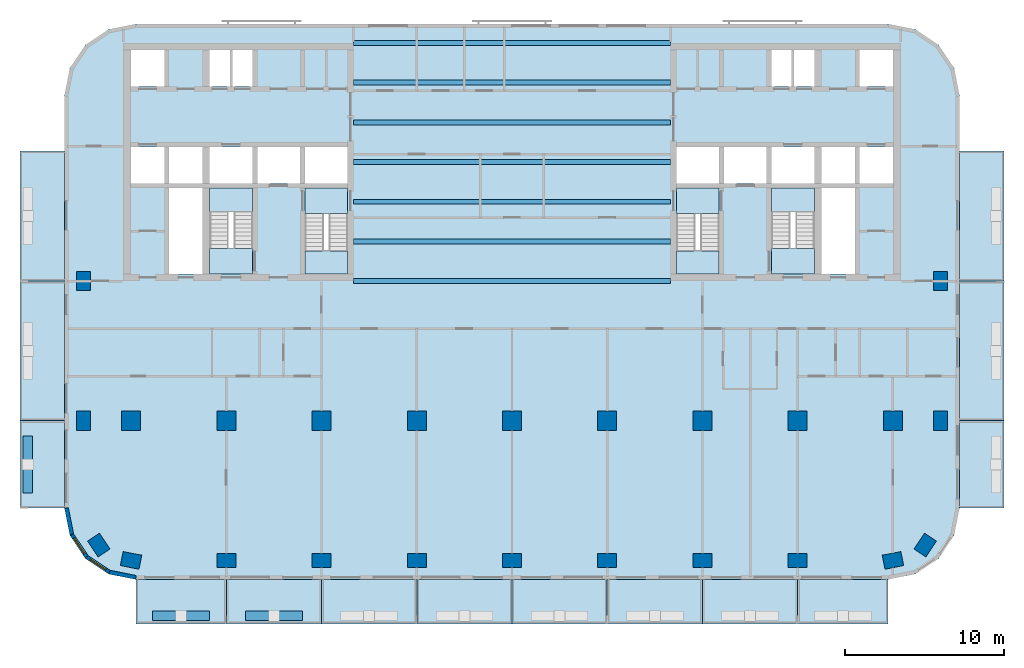
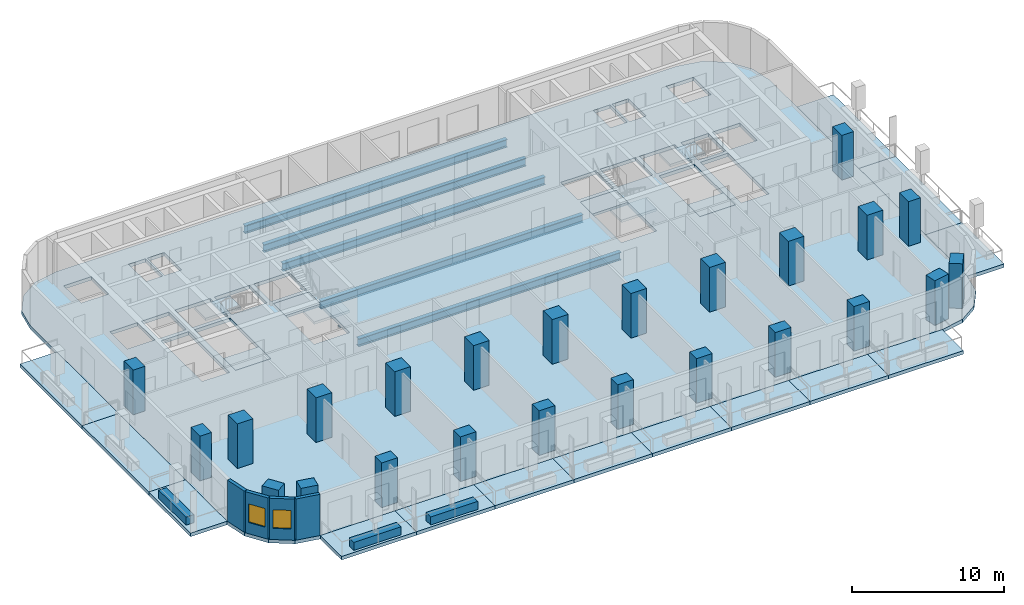
# One storey, part 1 of 12: 24 columns, 23 slabs, 7 beams, 7 walls, 2 windows, 2 openings, 4 elements without a shape of their own.
"""IFC4 building model written with IfcOpenShell, lengths in metres."""

from ifc_helpers import new_model, si_unit, direction, frame, frame_2d, origin, origin_2d, place, context, subcontext, project, spatial, polyline, rectangle, i_section, outline, extrude, material, layer, layer_set, material_profile, profile_set, type_object, element, fill, aggregate, save


model = new_model("IFC4")

# Units and contexts
model_context = context("Model", 3, precision=1e-05, world=origin(), true_north=direction((0.0, 1.0)))
body_context = subcontext(model_context, "Body", "Model", "MODEL_VIEW")
ifc_project = project(units=[si_unit("LENGTHUNIT", "METRE"), si_unit("AREAUNIT", "SQUARE_METRE"), si_unit("VOLUMEUNIT", "CUBIC_METRE"), si_unit("PLANEANGLEUNIT", "RADIAN"), si_unit("MASSUNIT", "GRAM", prefix="KILO")], contexts=[model_context])

# Site, building, storey
site_placement = place(None, origin())
site = spatial("IfcSite", under=ifc_project, at=site_placement, CompositionType="ELEMENT")
building_placement = place(site_placement, origin())
building = spatial("IfcBuilding", under=site, at=building_placement, Name="Torana Hotel and Residences", CompositionType="ELEMENT")
storey_placement = place(building_placement, frame((0.0, 0.0, 159.60009765625)))
storey = spatial("IfcBuildingStorey", under=building, at=storey_placement, Name="L41", CompositionType="ELEMENT", Elevation=159.60009765625)

# Columns
ifc_material_1 = material(Name="Concrete C70/85", Category="concrete")
ifc_material_profile_1 = material_profile(ifc_material_1, rectangle(XDim=1.199951171875, YDim=1.199951171875, at=origin_2d()), Name="RC 1200x1200")
ifc_profile_set_1 = profile_set([ifc_material_profile_1], Name="Concrete C70/85")
column_type_1 = type_object("IfcColumnType", Name="COLUMN RC 1200x1200 C70/85", PredefinedType="COLUMN", material=ifc_profile_set_1)
for number, where, z_axis, x_axis, name in (
    (1, (-24.0, -23.800048828125, 0.0), (0.0, 0.0, 1.0), (1.0, 0.0, 0.0), "Column L41"),
    (2, (-18.0, -23.800048828125, 0.0), (0.0, 0.0, 1.0), (1.0, 0.0, 0.0), "Column L41"),
    (3, (-12.0, -23.800048828125, 0.0), (0.0, 0.0, 1.0), (1.0, 0.0, 0.0), "Column L41"),
    (4, (-6.0, -23.800048828125, 0.0), (0.0, 0.0, 1.0), (1.0, 0.0, 0.0), "Column L41"),
    (5, (0.0, -23.800048828125, 0.0), (0.0, 0.0, 1.0), (1.0, 0.0, 0.0), "Column L41"),
    (6, (6.0, -23.800048828125, 0.0), (0.0, 0.0, 1.0), (1.0, 0.0, 0.0), "Column L41"),
    (7, (12.0, -23.800048828125, 0.0), (0.0, 0.0, 1.0), (1.0, 0.0, 0.0), "Column L41"),
    (8, (18.0, -23.800048828125, 0.0), (0.0, 0.0, 1.0), (1.0, 0.0, 0.0), "Column L41"),
    (9, (24.0, -23.800048828125, 0.0), (0.0, 0.0, 1.0), (1.0, 0.0, 0.0), "Column L41"),
):
    element("IfcColumn", number, at=place(storey_placement, frame(where, z_axis=z_axis, x_axis=x_axis)), inside=storey, type_object=column_type_1, Name=name, PredefinedType="COLUMN", context=body_context, shape_type="SweptSolid", body=[
        extrude(rectangle(XDim=1.199951171875, YDim=1.199951171875, at=origin_2d()), origin(), (0.0, 0.0, 1.0), 3.599853515625),
    ])
ifc_material_2 = material(Name="Concrete C70/85", Category="concrete")
ifc_material_profile_2 = material_profile(ifc_material_2, rectangle(XDim=1.199951171875, YDim=0.89990234375, at=origin_2d()), Name="RC 1200x900")
ifc_profile_set_2 = profile_set([ifc_material_profile_2], Name="Concrete C70/85")
column_type_2 = type_object("IfcColumnType", Name="COLUMN RC 1200x900 C70/85", PredefinedType="COLUMN", material=ifc_profile_set_2)
for number, where, z_axis, x_axis, name in (
    (10, (-27.0, -23.800048828125, 0.0), (0.0, 0.0, 1.0), (0.0, 1.0, 0.0), "Column L41"),
    (11, (-27.0, -15.0, 0.0), (0.0, 0.0, 1.0), (0.0, 1.0, 0.0), "Column L41"),
    (12, (-26.032958984375, -31.633056640625, 0.0), (0.0, 0.0, 1.0), (-0.555584744817, 0.831459915646, 0.0), "Column L41"),
    (13, (-24.0, -32.60009765625, 0.0), (0.0, 0.0, 1.0), (-0.980792089743, 0.195056086032, 0.0), "Column L41"),
    (14, (-18.0, -32.60009765625, 0.0), (0.0, 0.0, 1.0), (1.0, 0.0, 0.0), "Column L41"),
    (15, (-12.0, -32.60009765625, 0.0), (0.0, 0.0, 1.0), (1.0, 0.0, 0.0), "Column L41"),
    (16, (-6.0, -32.60009765625, 0.0), (0.0, 0.0, 1.0), (1.0, 0.0, 0.0), "Column L41"),
    (17, (0.0, -32.60009765625, 0.0), (0.0, 0.0, 1.0), (1.0, 0.0, 0.0), "Column L41"),
    (18, (6.0, -32.60009765625, 0.0), (0.0, 0.0, 1.0), (1.0, 0.0, 0.0), "Column L41"),
    (19, (12.0, -32.60009765625, 0.0), (0.0, 0.0, 1.0), (1.0, 0.0, 0.0), "Column L41"),
    (20, (18.0, -32.60009765625, 0.0), (0.0, 0.0, 1.0), (1.0, 0.0, 0.0), "Column L41"),
    (21, (24.0, -32.60009765625, 0.0), (0.0, 0.0, 1.0), (0.980792089743, 0.195056086032, 0.0), "Column L41"),
    (22, (26.032958984375, -31.633056640625, 0.0), (0.0, 0.0, 1.0), (0.555584744817, 0.831459915646, 0.0), "Column L41"),
    (23, (27.0, -23.800048828125, 0.0), (0.0, 0.0, 1.0), (0.0, 1.0, 0.0), "Column L41"),
    (24, (27.0, -15.0, 0.0), (0.0, 0.0, 1.0), (0.0, 1.0, 0.0), "Column L41"),
):
    element("IfcColumn", number, at=place(storey_placement, frame(where, z_axis=z_axis, x_axis=x_axis)), inside=storey, type_object=column_type_2, Name=name, PredefinedType="COLUMN", context=body_context, shape_type="SweptSolid", body=[
        extrude(rectangle(XDim=1.199951171875, YDim=0.89990234375, at=origin_2d()), origin(), (0.0, 0.0, 1.0), 3.599853515625),
    ])

# Beams
ifc_material_3 = material(Name="Steel S355", Category="steel")
ifc_material_profile_3 = material_profile(ifc_material_3, i_section(OverallWidth=0.311279296875, OverallDepth=0.6357421875, WebThickness=0.018310546875, FlangeThickness=0.031494140625, FilletRadius=0.0166015625, at=origin_2d()), Name="610x305x238 UB")
ifc_profile_set_3 = profile_set([ifc_material_profile_3], Name="Steel S355")
beam_type = type_object("IfcBeamType", Name="STEEL GIRDER 610x305x238 UB", PredefinedType="BEAM", material=ifc_profile_set_3)
for number, where, z_axis, x_axis, name in (
    (25, (-10.0, -15.0, -0.597900390625), (1.0, 0.0, 0.0), (0.0, 1.0, 0.0), "Floor girder"),
    (26, (-10.0, -12.5, -0.597900390625), (1.0, 0.0, 0.0), (0.0, 1.0, 0.0), "Floor girder"),
    (27, (-10.0, -10.0, -0.597900390625), (1.0, 0.0, 0.0), (0.0, 1.0, 0.0), "Floor girder"),
    (28, (-10.0, -7.5, -0.597900390625), (1.0, 0.0, 0.0), (0.0, 1.0, 0.0), "Floor girder"),
    (29, (-10.0, -5.0, -0.597900390625), (1.0, 0.0, 0.0), (0.0, 1.0, 0.0), "Floor girder"),
    (30, (-10.0, -2.5, -0.597900390625), (1.0, 0.0, 0.0), (0.0, 1.0, 0.0), "Floor girder"),
    (31, (-10.0, 0.0, -0.597900390625), (1.0, 0.0, 0.0), (0.0, 1.0, 0.0), "Floor girder"),
):
    element("IfcBeam", number, at=place(storey_placement, frame(where, z_axis=z_axis, x_axis=x_axis)), inside=storey, type_object=beam_type, Name=name, PredefinedType="BEAM", context=body_context, shape_type="SweptSolid", body=[
        extrude(i_section(OverallWidth=0.311279296875, OverallDepth=0.6357421875, WebThickness=0.018310546875, FlangeThickness=0.031494140625, FilletRadius=0.0166015625, at=origin_2d()), origin(), (0.0, 0.0, 1.0), 20.0),
    ])

# Slabs
ifc_material_4 = material(Name="Concrete C40/50", Category="concrete")
ifc_layer_1 = layer(ifc_material_4, 0.280029296875)
ifc_layer_set_1 = layer_set([ifc_layer_1], Name="BAL1 BALCONY SLAB 280")
slab_type_1 = type_object("IfcSlabType", Name="BAL1 BALCONY SLAB 280", PredefinedType="USERDEFINED", material=ifc_layer_set_1)
slab_1_placement = place(storey_placement, frame((0.0, 0.0, -0.280029296875)))
element("IfcSlab", 32, at=slab_1_placement, inside=storey, type_object=slab_type_1, Name="Balcony 01", ObjectType="BALCONY", PredefinedType="USERDEFINED", context=body_context, shape_type="SweptSolid", body=[
    extrude(outline(polyline([(-23.699951171875, -36.60009765625), (-18.0, -36.60009765625), (-18.0, -33.800048828125), (-23.699951171875, -33.800048828125), (-23.699951171875, -36.60009765625)])), origin(), (0.0, 0.0, 1.0), 0.280029296875),
])
slab_2_placement = place(storey_placement, frame((0.0, 0.0, -0.280029296875)))
element("IfcSlab", 33, at=slab_2_placement, inside=storey, type_object=slab_type_1, Name="Balcony 02", ObjectType="BALCONY", PredefinedType="USERDEFINED", context=body_context, shape_type="SweptSolid", body=[
    extrude(outline(polyline([(-18.0, -36.60009765625), (-12.0, -36.60009765625), (-12.0, -33.800048828125), (-18.0, -33.800048828125), (-18.0, -36.60009765625)])), origin(), (0.0, 0.0, 1.0), 0.280029296875),
])
slab_3_placement = place(storey_placement, frame((0.0, 0.0, -0.280029296875)))
element("IfcSlab", 34, at=slab_3_placement, inside=storey, type_object=slab_type_1, Name="Balcony 03", ObjectType="BALCONY", PredefinedType="USERDEFINED", context=body_context, shape_type="SweptSolid", body=[
    extrude(outline(polyline([(-12.0, -36.60009765625), (-6.0, -36.60009765625), (-6.0, -33.800048828125), (-12.0, -33.800048828125), (-12.0, -36.60009765625)])), origin(), (0.0, 0.0, 1.0), 0.280029296875),
])
slab_4_placement = place(storey_placement, frame((0.0, 0.0, -0.280029296875)))
element("IfcSlab", 35, at=slab_4_placement, inside=storey, type_object=slab_type_1, Name="Balcony 04", ObjectType="BALCONY", PredefinedType="USERDEFINED", context=body_context, shape_type="SweptSolid", body=[
    extrude(outline(polyline([(-6.0, -36.60009765625), (0.0, -36.60009765625), (0.0, -33.800048828125), (-6.0, -33.800048828125), (-6.0, -36.60009765625)])), origin(), (0.0, 0.0, 1.0), 0.280029296875),
])
slab_5_placement = place(storey_placement, frame((0.0, 0.0, -0.280029296875)))
element("IfcSlab", 36, at=slab_5_placement, inside=storey, type_object=slab_type_1, Name="Balcony 05", ObjectType="BALCONY", PredefinedType="USERDEFINED", context=body_context, shape_type="SweptSolid", body=[
    extrude(outline(polyline([(0.0, -36.60009765625), (6.0, -36.60009765625), (6.0, -33.800048828125), (0.0, -33.800048828125), (0.0, -36.60009765625)])), origin(), (0.0, 0.0, 1.0), 0.280029296875),
])
slab_6_placement = place(storey_placement, frame((0.0, 0.0, -0.280029296875)))
element("IfcSlab", 37, at=slab_6_placement, inside=storey, type_object=slab_type_1, Name="Balcony 06", ObjectType="BALCONY", PredefinedType="USERDEFINED", context=body_context, shape_type="SweptSolid", body=[
    extrude(outline(polyline([(6.0, -36.60009765625), (12.0, -36.60009765625), (12.0, -33.800048828125), (6.0, -33.800048828125), (6.0, -36.60009765625)])), origin(), (0.0, 0.0, 1.0), 0.280029296875),
])
slab_7_placement = place(storey_placement, frame((0.0, 0.0, -0.280029296875)))
element("IfcSlab", 38, at=slab_7_placement, inside=storey, type_object=slab_type_1, Name="Balcony 07", ObjectType="BALCONY", PredefinedType="USERDEFINED", context=body_context, shape_type="SweptSolid", body=[
    extrude(outline(polyline([(12.0, -36.60009765625), (18.0, -36.60009765625), (18.0, -33.800048828125), (12.0, -33.800048828125), (12.0, -36.60009765625)])), origin(), (0.0, 0.0, 1.0), 0.280029296875),
])
slab_8_placement = place(storey_placement, frame((0.0, 0.0, -0.280029296875)))
element("IfcSlab", 39, at=slab_8_placement, inside=storey, type_object=slab_type_1, Name="Balcony 08", ObjectType="BALCONY", PredefinedType="USERDEFINED", context=body_context, shape_type="SweptSolid", body=[
    extrude(outline(polyline([(18.0, -36.60009765625), (23.699951171875, -36.60009765625), (23.699951171875, -33.800048828125), (18.0, -33.800048828125), (18.0, -36.60009765625)])), origin(), (0.0, 0.0, 1.0), 0.280029296875),
])
slab_9_placement = place(storey_placement, frame((0.0, 0.0, -0.280029296875)))
element("IfcSlab", 40, at=slab_9_placement, inside=storey, type_object=slab_type_1, Name="Balcony 09", ObjectType="BALCONY", PredefinedType="USERDEFINED", context=body_context, shape_type="SweptSolid", body=[
    extrude(outline(polyline([(-31.0, -29.300048828125), (-28.199951171875, -29.300048828125), (-28.199951171875, -23.800048828125), (-31.0, -23.800048828125), (-31.0, -29.300048828125)])), origin(), (0.0, 0.0, 1.0), 0.280029296875),
])
slab_10_placement = place(storey_placement, frame((0.0, 0.0, -0.280029296875)))
element("IfcSlab", 41, at=slab_10_placement, inside=storey, type_object=slab_type_1, Name="Balcony 10", ObjectType="BALCONY", PredefinedType="USERDEFINED", context=body_context, shape_type="SweptSolid", body=[
    extrude(outline(polyline([(-31.0, -23.800048828125), (-28.199951171875, -23.800048828125), (-28.199951171875, -15.0), (-31.0, -15.0), (-31.0, -23.800048828125)])), origin(), (0.0, 0.0, 1.0), 0.280029296875),
])
slab_11_placement = place(storey_placement, frame((0.0, 0.0, -0.280029296875)))
element("IfcSlab", 42, at=slab_11_placement, inside=storey, type_object=slab_type_1, Name="Balcony 11", ObjectType="BALCONY", PredefinedType="USERDEFINED", context=body_context, shape_type="SweptSolid", body=[
    extrude(outline(polyline([(-31.0, -15.0), (-28.199951171875, -15.0), (-28.199951171875, -6.800048828125), (-31.0, -6.800048828125), (-31.0, -15.0)])), origin(), (0.0, 0.0, 1.0), 0.280029296875),
])
slab_12_placement = place(storey_placement, frame((0.0, 0.0, -0.280029296875)))
element("IfcSlab", 43, at=slab_12_placement, inside=storey, type_object=slab_type_1, Name="Balcony 12", ObjectType="BALCONY", PredefinedType="USERDEFINED", context=body_context, shape_type="SweptSolid", body=[
    extrude(outline(polyline([(28.199951171875, -29.300048828125), (31.0, -29.300048828125), (31.0, -23.800048828125), (28.199951171875, -23.800048828125), (28.199951171875, -29.300048828125)])), origin(), (0.0, 0.0, 1.0), 0.280029296875),
])
slab_13_placement = place(storey_placement, frame((0.0, 0.0, -0.280029296875)))
element("IfcSlab", 44, at=slab_13_placement, inside=storey, type_object=slab_type_1, Name="Balcony 13", ObjectType="BALCONY", PredefinedType="USERDEFINED", context=body_context, shape_type="SweptSolid", body=[
    extrude(outline(polyline([(28.199951171875, -23.800048828125), (31.0, -23.800048828125), (31.0, -15.0), (28.199951171875, -15.0), (28.199951171875, -23.800048828125)])), origin(), (0.0, 0.0, 1.0), 0.280029296875),
])
slab_14_placement = place(storey_placement, frame((0.0, 0.0, -0.280029296875)))
element("IfcSlab", 45, at=slab_14_placement, inside=storey, type_object=slab_type_1, Name="Balcony 14", ObjectType="BALCONY", PredefinedType="USERDEFINED", context=body_context, shape_type="SweptSolid", body=[
    extrude(outline(polyline([(28.199951171875, -15.0), (31.0, -15.0), (31.0, -6.800048828125), (28.199951171875, -6.800048828125), (28.199951171875, -15.0)])), origin(), (0.0, 0.0, 1.0), 0.280029296875),
])
ifc_material_5 = material(Name="Concrete C40/50", Category="concrete")
ifc_layer_2 = layer(ifc_material_5, 0.280029296875)
ifc_layer_set_2 = layer_set([ifc_layer_2], Name="FLOOR SLAB PT 280")
slab_type_2 = type_object("IfcSlabType", Name="FLOOR SLAB PT 280", PredefinedType="FLOOR", material=ifc_layer_set_2)
slab_15_placement = place(storey_placement, frame((0.0, 0.0, -0.280029296875)))
element("IfcSlab", 46, at=slab_15_placement, inside=storey, type_object=slab_type_2, Name="Floor slab", PredefinedType="FLOOR", context=body_context, shape_type="SweptSolid", body=[
    extrude(outline(polyline([(28.199951171875, -3.300048828125), (27.857421875, -1.577880859375), (26.882080078125, -0.117919921875), (25.422119140625, 0.857421875), (23.699951171875, 1.199951171875), (-23.699951171875, 1.199951171875), (-25.422119140625, 0.857421875), (-26.882080078125, -0.117919921875), (-27.857421875, -1.577880859375), (-28.199951171875, -3.300048828125), (-28.199951171875, -29.300048828125), (-27.857421875, -31.022216796875), (-26.882080078125, -32.48193359375), (-25.422119140625, -33.45751953125), (-23.699951171875, -33.800048828125), (23.699951171875, -33.800048828125), (25.422119140625, -33.45751953125), (26.882080078125, -32.48193359375), (27.857421875, -31.022216796875), (28.199951171875, -29.300048828125), (28.199951171875, -3.300048828125)]), holes=[polyline([(-13.050048828125, -14.550048828125), (-10.35009765625, -14.550048828125), (-10.35009765625, -9.14990234375), (-13.050048828125, -9.14990234375), (-13.050048828125, -14.550048828125)]), polyline([(-19.050048828125, -14.550048828125), (-16.35009765625, -14.550048828125), (-16.35009765625, -9.14990234375), (-19.050048828125, -9.14990234375), (-19.050048828125, -14.550048828125)]), polyline([(-17.625, -2.75), (-16.35009765625, -2.75), (-16.35009765625, -0.449951171875), (-17.625, -0.449951171875), (-17.625, -2.75)]), polyline([(-19.050048828125, -2.75), (-17.77490234375, -2.75), (-17.77490234375, -0.449951171875), (-19.050048828125, -0.449951171875), (-19.050048828125, -2.75)]), polyline([(-21.60009765625, -8.85009765625), (-19.5, -8.85009765625), (-19.5, -6.550048828125), (-21.60009765625, -6.550048828125), (-21.60009765625, -8.85009765625)]), polyline([(-24.0, -2.75), (-21.89990234375, -2.75), (-21.89990234375, -0.449951171875), (-24.0, -0.449951171875), (-24.0, -2.75)]), polyline([(-24.0, -8.85009765625), (-21.89990234375, -8.85009765625), (-21.89990234375, -6.550048828125), (-24.0, -6.550048828125), (-24.0, -8.85009765625)]), polyline([(-13.050048828125, -8.85009765625), (-10.35009765625, -8.85009765625), (-10.35009765625, -6.550048828125), (-13.050048828125, -6.550048828125), (-13.050048828125, -8.85009765625)]), polyline([(-16.050048828125, -8.85009765625), (-13.35009765625, -8.85009765625), (-13.35009765625, -6.550048828125), (-16.050048828125, -6.550048828125), (-16.050048828125, -8.85009765625)]), polyline([(-19.050048828125, -8.85009765625), (-16.35009765625, -8.85009765625), (-16.35009765625, -6.550048828125), (-19.050048828125, -6.550048828125), (-19.050048828125, -8.85009765625)]), polyline([(-21.60009765625, -14.550048828125), (-19.5, -14.550048828125), (-19.5, -9.14990234375), (-21.60009765625, -9.14990234375), (-21.60009765625, -14.550048828125)]), polyline([(10.35009765625, -14.550048828125), (13.050048828125, -14.550048828125), (13.050048828125, -9.14990234375), (10.35009765625, -9.14990234375), (10.35009765625, -14.550048828125)]), polyline([(16.35009765625, -14.550048828125), (19.050048828125, -14.550048828125), (19.050048828125, -9.14990234375), (16.35009765625, -9.14990234375), (16.35009765625, -14.550048828125)]), polyline([(16.35009765625, -2.75), (17.625, -2.75), (17.625, -0.449951171875), (16.35009765625, -0.449951171875), (16.35009765625, -2.75)]), polyline([(17.77490234375, -2.75), (19.050048828125, -2.75), (19.050048828125, -0.449951171875), (17.77490234375, -0.449951171875), (17.77490234375, -2.75)]), polyline([(19.5, -8.85009765625), (21.60009765625, -8.85009765625), (21.60009765625, -6.550048828125), (19.5, -6.550048828125), (19.5, -8.85009765625)]), polyline([(21.89990234375, -2.75), (24.0, -2.75), (24.0, -0.449951171875), (21.89990234375, -0.449951171875), (21.89990234375, -2.75)]), polyline([(21.89990234375, -8.85009765625), (24.0, -8.85009765625), (24.0, -6.550048828125), (21.89990234375, -6.550048828125), (21.89990234375, -8.85009765625)]), polyline([(10.35009765625, -8.85009765625), (13.050048828125, -8.85009765625), (13.050048828125, -6.550048828125), (10.35009765625, -6.550048828125), (10.35009765625, -8.85009765625)]), polyline([(13.35009765625, -8.85009765625), (16.050048828125, -8.85009765625), (16.050048828125, -6.550048828125), (13.35009765625, -6.550048828125), (13.35009765625, -8.85009765625)]), polyline([(16.35009765625, -8.85009765625), (19.050048828125, -8.85009765625), (19.050048828125, -6.550048828125), (16.35009765625, -6.550048828125), (16.35009765625, -8.85009765625)]), polyline([(19.5, -14.550048828125), (21.60009765625, -14.550048828125), (21.60009765625, -9.14990234375), (19.5, -9.14990234375), (19.5, -14.550048828125)])]), origin(), (0.0, 0.0, 1.0), 0.280029296875),
])

# Stair, slabs
ifc_material_6 = material(Name="Concrete C40/50 precast", Category="concrete")
stair_type_1 = type_object("IfcStairType", Name="STAIR ST1 HALF TURN 1200", PredefinedType="HALF_TURN_STAIR", material=ifc_material_6)
stair_1_placement = place(storey_placement, origin())
stair_1 = element("IfcStair", 47, at=stair_1_placement, inside=storey, type_object=stair_type_1, Name="Stair ST1 L41", PredefinedType="HALF_TURN_STAIR")
ifc_material_7 = material(Name="Concrete C40/50 precast", Category="concrete")
ifc_layer_3 = layer(ifc_material_7, 0.199951171875)
ifc_layer_set_3 = layer_set([ifc_layer_3], Name="STAIR LANDING 200")
slab_type_3 = type_object("IfcSlabType", Name="STAIR LANDING 200", PredefinedType="LANDING", material=ifc_layer_set_3)
slab_16_placement = place(storey_placement, frame((0.0, 0.0, 1.599853515625)))
slab_16 = element("IfcSlab", 48, at=slab_16_placement, type_object=slab_type_3, Name="ST1 landing 1", PredefinedType="LANDING", context=body_context, shape_type="SweptSolid", body=[
    extrude(outline(polyline([(-13.050048828125, -14.550048828125), (-10.35009765625, -14.550048828125), (-10.35009765625, -13.090087890625), (-13.050048828125, -13.090087890625), (-13.050048828125, -14.550048828125)])), origin(), (0.0, 0.0, 1.0), 0.199951171875),
])
slab_17_placement = place(storey_placement, frame((0.0, 0.0, -0.2001953125)))
slab_17 = element("IfcSlab", 49, at=slab_17_placement, type_object=slab_type_3, Name="ST1 landing 2", PredefinedType="LANDING", context=body_context, shape_type="SweptSolid", body=[
    extrude(outline(polyline([(-13.050048828125, -10.75), (-10.35009765625, -10.75), (-10.35009765625, -9.14990234375), (-13.050048828125, -9.14990234375), (-13.050048828125, -10.75)])), origin(), (0.0, 0.0, 1.0), 0.2001953125),
])
aggregate(stair_1, [slab_16, slab_17])

ifc_material_8 = material(Name="Concrete C40/50 precast", Category="concrete")
stair_type_2 = type_object("IfcStairType", Name="STAIR ST2 HALF TURN 1200", PredefinedType="HALF_TURN_STAIR", material=ifc_material_8)
stair_2_placement = place(storey_placement, origin())
stair_2 = element("IfcStair", 50, at=stair_2_placement, inside=storey, type_object=stair_type_2, Name="Stair ST2 L41", PredefinedType="HALF_TURN_STAIR")
slab_18_placement = place(storey_placement, frame((0.0, 0.0, 1.599853515625)))
slab_18 = element("IfcSlab", 51, at=slab_18_placement, type_object=slab_type_3, Name="ST2 landing 1", PredefinedType="LANDING", context=body_context, shape_type="SweptSolid", body=[
    extrude(outline(polyline([(-19.050048828125, -10.610107421875), (-16.35009765625, -10.610107421875), (-16.35009765625, -9.14990234375), (-19.050048828125, -9.14990234375), (-19.050048828125, -10.610107421875)])), origin(), (0.0, 0.0, 1.0), 0.199951171875),
])
slab_19_placement = place(storey_placement, frame((0.0, 0.0, -0.2001953125)))
slab_19 = element("IfcSlab", 52, at=slab_19_placement, type_object=slab_type_3, Name="ST2 landing 2", PredefinedType="LANDING", context=body_context, shape_type="SweptSolid", body=[
    extrude(outline(polyline([(-19.050048828125, -14.550048828125), (-16.35009765625, -14.550048828125), (-16.35009765625, -12.949951171875), (-19.050048828125, -12.949951171875), (-19.050048828125, -14.550048828125)])), origin(), (0.0, 0.0, 1.0), 0.2001953125),
])
aggregate(stair_2, [slab_18, slab_19])

ifc_material_9 = material(Name="Concrete C40/50 precast", Category="concrete")
stair_type_3 = type_object("IfcStairType", Name="STAIR ST3 HALF TURN 1200", PredefinedType="HALF_TURN_STAIR", material=ifc_material_9)
stair_3_placement = place(storey_placement, origin())
stair_3 = element("IfcStair", 53, at=stair_3_placement, inside=storey, type_object=stair_type_3, Name="Stair ST3 L41", PredefinedType="HALF_TURN_STAIR")
slab_20_placement = place(storey_placement, frame((0.0, 0.0, 1.599853515625)))
slab_20 = element("IfcSlab", 54, at=slab_20_placement, type_object=slab_type_3, Name="ST3 landing 1", PredefinedType="LANDING", context=body_context, shape_type="SweptSolid", body=[
    extrude(outline(polyline([(10.35009765625, -14.550048828125), (13.050048828125, -14.550048828125), (13.050048828125, -13.090087890625), (10.35009765625, -13.090087890625), (10.35009765625, -14.550048828125)])), origin(), (0.0, 0.0, 1.0), 0.199951171875),
])
slab_21_placement = place(storey_placement, frame((0.0, 0.0, -0.2001953125)))
slab_21 = element("IfcSlab", 55, at=slab_21_placement, type_object=slab_type_3, Name="ST3 landing 2", PredefinedType="LANDING", context=body_context, shape_type="SweptSolid", body=[
    extrude(outline(polyline([(10.35009765625, -10.75), (13.050048828125, -10.75), (13.050048828125, -9.14990234375), (10.35009765625, -9.14990234375), (10.35009765625, -10.75)])), origin(), (0.0, 0.0, 1.0), 0.2001953125),
])
aggregate(stair_3, [slab_20, slab_21])

ifc_material_10 = material(Name="Concrete C40/50 precast", Category="concrete")
stair_type_4 = type_object("IfcStairType", Name="STAIR ST4 HALF TURN 1200", PredefinedType="HALF_TURN_STAIR", material=ifc_material_10)
stair_4_placement = place(storey_placement, origin())
stair_4 = element("IfcStair", 56, at=stair_4_placement, inside=storey, type_object=stair_type_4, Name="Stair ST4 L41", PredefinedType="HALF_TURN_STAIR")
slab_22_placement = place(storey_placement, frame((0.0, 0.0, 1.599853515625)))
slab_22 = element("IfcSlab", 57, at=slab_22_placement, type_object=slab_type_3, Name="ST4 landing 1", PredefinedType="LANDING", context=body_context, shape_type="SweptSolid", body=[
    extrude(outline(polyline([(16.35009765625, -10.610107421875), (19.050048828125, -10.610107421875), (19.050048828125, -9.14990234375), (16.35009765625, -9.14990234375), (16.35009765625, -10.610107421875)])), origin(), (0.0, 0.0, 1.0), 0.199951171875),
])
slab_23_placement = place(storey_placement, frame((0.0, 0.0, -0.2001953125)))
slab_23 = element("IfcSlab", 58, at=slab_23_placement, type_object=slab_type_3, Name="ST4 landing 2", PredefinedType="LANDING", context=body_context, shape_type="SweptSolid", body=[
    extrude(outline(polyline([(16.35009765625, -14.550048828125), (19.050048828125, -14.550048828125), (19.050048828125, -12.949951171875), (16.35009765625, -12.949951171875), (16.35009765625, -14.550048828125)])), origin(), (0.0, 0.0, 1.0), 0.2001953125),
])
aggregate(stair_4, [slab_22, slab_23])

# Wall
ifc_material_11 = material(Name="Black aluminium composite panel", Category="aluminium")
ifc_layer_4 = layer(ifc_material_11, 0.00390625, Name="Cladding", Category="cladding")
ifc_material_12 = material(Name="Ventilated air cavity")
ifc_layer_5 = layer(ifc_material_12, 0.0400390625, Name="Ventilated cavity", Category="cavity")
ifc_material_13 = material(Name="Mineral wool insulation")
ifc_layer_6 = layer(ifc_material_13, 0.090087890625, Name="Insulation", Category="insulation")
ifc_material_14 = material(Name="Steel S280GD", Category="steel")
ifc_layer_7 = layer(ifc_material_14, 0.092041015625, Name="Steel stud frame", Category="structure")
ifc_material_15 = material(Name="Fire rated plasterboard")
ifc_layer_8 = layer(ifc_material_15, 0.011962890625, Name="Inner board", Category="finish")
ifc_layer_9 = layer(ifc_material_15, 0.011962890625, Name="Second board", Category="finish")
ifc_layer_set_4 = layer_set([ifc_layer_4, ifc_layer_5, ifc_layer_6, ifc_layer_7, ifc_layer_8, ifc_layer_9], Name="EW1 EXTERNAL WALL BLACK METAL CLAD 250")
wall_type_1 = type_object("IfcWallType", Name="EW1 EXTERNAL WALL BLACK METAL CLAD 250", PredefinedType="SOLIDWALL", material=ifc_layer_set_4)
wall_1_placement = place(storey_placement, frame((-28.072509765625, -29.2998046875, 0.0), z_axis=(0.0, 0.0, 1.0), x_axis=(0.194999110559, -0.980803419081, 0.0)))
element("IfcWall", 59, at=wall_1_placement, inside=storey, type_object=wall_type_1, Name="External wall L41 e0.10", PredefinedType="SOLIDWALL", context=body_context, shape_type="SweptSolid", body=[
    extrude(rectangle(XDim=1.681396484375, YDim=0.25, at=frame_2d((0.8408203125, 0.0))), origin(), (0.0, 0.0, 1.0), 3.31982421875),
])

# Wall, opening, window
wall_2_placement = place(storey_placement, frame((-27.725830078125, -30.993896484375, 0.0), z_axis=(0.0, 0.0, 1.0), x_axis=(0.55555029066, -0.831482937015, 0.0)))
wall_2 = element("IfcWall", 60, at=wall_2_placement, inside=storey, type_object=wall_type_1, Name="External wall L41 e0.11", PredefinedType="SOLIDWALL", context=body_context, shape_type="SweptSolid", body=[
    extrude(rectangle(XDim=1.65625, YDim=0.25, at=frame_2d((0.828125, 0.0))), origin(), (0.0, 0.0, 1.0), 3.31982421875),
])
opening_1_placement = place(wall_2_placement, frame((0.228271484375, 0.0, 0.89990234375)))
opening_1 = element("IfcOpeningElement", 61, at=opening_1_placement, cuts=wall_2, Name="Opening W5", PredefinedType="OPENING", context=body_context, shape_type="SweptSolid", body=[
    extrude(rectangle(XDim=1.199951171875, YDim=1.5, at=frame_2d((0.60009765625, 0.75))), frame((0.0, 0.135009765625, 0.0), z_axis=(0.0, -1.0, 0.0), x_axis=(1.0, 0.0, 0.0)), (0.0, 0.0, 1.0), 0.27001953125),
])
ifc_material_16 = material(Name="Dark glass in black aluminium frame", Category="aluminium")
window_type = type_object("IfcWindowType", Name="W5 CORNER FACET WINDOW 1200x1500", PartitioningType="SINGLE_PANEL", PredefinedType="WINDOW", material=ifc_material_16)
window_1_placement = place(opening_1_placement, origin())
window_1 = element("IfcWindow", 62, at=window_1_placement, inside=storey, type_object=window_type, Name="Window L41 e0.11", OverallHeight=1.5, OverallWidth=1.199951171875, PartitioningType="SINGLE_PANEL", PredefinedType="WINDOW", context=body_context, shape_type="SweptSolid", body=[
    extrude(rectangle(XDim=1.199951171875, YDim=1.5, at=frame_2d((0.60009765625, 0.75))), frame((0.0, 0.030029296875, 0.0), z_axis=(0.0, -1.0, 0.0), x_axis=(1.0, 0.0, 0.0)), (0.0, 0.0, 1.0), 0.06005859375),
])
fill(opening_1, window_1)

wall_3_placement = place(storey_placement, frame((-26.771240234375, -32.40576171875, 0.0), z_axis=(0.0, 0.0, 1.0), x_axis=(0.831482937015, -0.55555029066, 0.0)))
wall_3 = element("IfcWall", 63, at=wall_3_placement, inside=storey, type_object=wall_type_1, Name="External wall L41 e0.12", PredefinedType="SOLIDWALL", context=body_context, shape_type="SweptSolid", body=[
    extrude(rectangle(XDim=1.65625, YDim=0.25, at=frame_2d((0.828125, 0.0))), origin(), (0.0, 0.0, 1.0), 3.31982421875),
])
opening_2_placement = place(wall_3_placement, frame((0.228271484375, 0.0, 0.89990234375)))
opening_2 = element("IfcOpeningElement", 64, at=opening_2_placement, cuts=wall_3, Name="Opening W5", PredefinedType="OPENING", context=body_context, shape_type="SweptSolid", body=[
    extrude(rectangle(XDim=1.199951171875, YDim=1.5, at=frame_2d((0.60009765625, 0.75))), frame((0.0, 0.135009765625, 0.0), z_axis=(0.0, -1.0, 0.0), x_axis=(1.0, 0.0, 0.0)), (0.0, 0.0, 1.0), 0.27001953125),
])
window_2_placement = place(opening_2_placement, origin())
window_2 = element("IfcWindow", 65, at=window_2_placement, inside=storey, type_object=window_type, Name="Window L41 e0.12", OverallHeight=1.5, OverallWidth=1.199951171875, PartitioningType="SINGLE_PANEL", PredefinedType="WINDOW", context=body_context, shape_type="SweptSolid", body=[
    extrude(rectangle(XDim=1.199951171875, YDim=1.5, at=frame_2d((0.60009765625, 0.75))), frame((0.0, 0.030029296875, 0.0), z_axis=(0.0, -1.0, 0.0), x_axis=(1.0, 0.0, 0.0)), (0.0, 0.0, 1.0), 0.06005859375),
])
fill(opening_2, window_2)

# Walls
wall_4_placement = place(storey_placement, frame((-25.348876953125, -33.344482421875, 0.0), z_axis=(0.0, 0.0, 1.0), x_axis=(0.980775640221, -0.19513878023, 0.0)))
element("IfcWall", 66, at=wall_4_placement, inside=storey, type_object=wall_type_1, Name="External wall L41 e0.13", PredefinedType="SOLIDWALL", context=body_context, shape_type="SweptSolid", body=[
    extrude(rectangle(XDim=1.681396484375, YDim=0.25, at=frame_2d((0.8408203125, 0.0))), origin(), (0.0, 0.0, 1.0), 3.31982421875),
])
ifc_material_17 = material(Name="Concrete C40/50 precast", Category="concrete")
ifc_layer_10 = layer(ifc_material_17, 0.10009765625, Name="Planter shell", Category="structure")
ifc_material_18 = material(Name="Root resistant membrane")
ifc_layer_11 = layer(ifc_material_18, 0.00390625, Name="Waterproofing membrane", Category="membrane")
ifc_material_19 = material(Name="Drainage board with filter fleece")
ifc_layer_12 = layer(ifc_material_19, 0.02001953125, Name="Drainage board", Category="drainage")
ifc_material_20 = material(Name="Growing medium")
ifc_layer_13 = layer(ifc_material_20, 0.47607421875, Name="Planting substrate", Category="soil")
ifc_layer_set_5 = layer_set([ifc_layer_10, ifc_layer_11, ifc_layer_12, ifc_layer_13], Name="PL1 BALCONY PLANTER 600")
wall_type_2 = type_object("IfcWallType", Name="PL1 BALCONY PLANTER 600", PredefinedType="USERDEFINED", material=ifc_layer_set_5)
wall_5_placement = place(storey_placement, frame((-19.050048828125, -36.10009765625, 0.0), z_axis=(0.0, 0.0, 1.0), x_axis=(-1.0, 0.0, 0.0)))
element("IfcWall", 67, at=wall_5_placement, inside=storey, type_object=wall_type_2, Name="Planter 01", ObjectType="PLANTER", PredefinedType="USERDEFINED", context=body_context, shape_type="SweptSolid", body=[
    extrude(rectangle(XDim=3.599853515625, YDim=0.60009765625, at=frame_2d((1.7998046875, 0.0))), origin(), (0.0, 0.0, 1.0), 0.64990234375),
])
for number, where, z_axis, x_axis, name in (
    (68, (-13.199951171875, -36.10009765625, 0.0), (0.0, 0.0, 1.0), (-1.0, 0.0, 0.0), "Planter 02"),
    (69, (-30.5, -28.35009765625, 0.0), (0.0, 0.0, 1.0), (0.0, 1.0, 0.0), "Planter 09"),
):
    element("IfcWall", number, at=place(storey_placement, frame(where, z_axis=z_axis, x_axis=x_axis)), inside=storey, type_object=wall_type_2, Name=name, ObjectType="PLANTER", PredefinedType="USERDEFINED", context=body_context, shape_type="SweptSolid", body=[
        extrude(rectangle(XDim=3.60009765625, YDim=0.60009765625, at=frame_2d((1.800048828125, 0.0))), origin(), (0.0, 0.0, 1.0), 0.64990234375),
    ])

save(model, "model.ifc")
